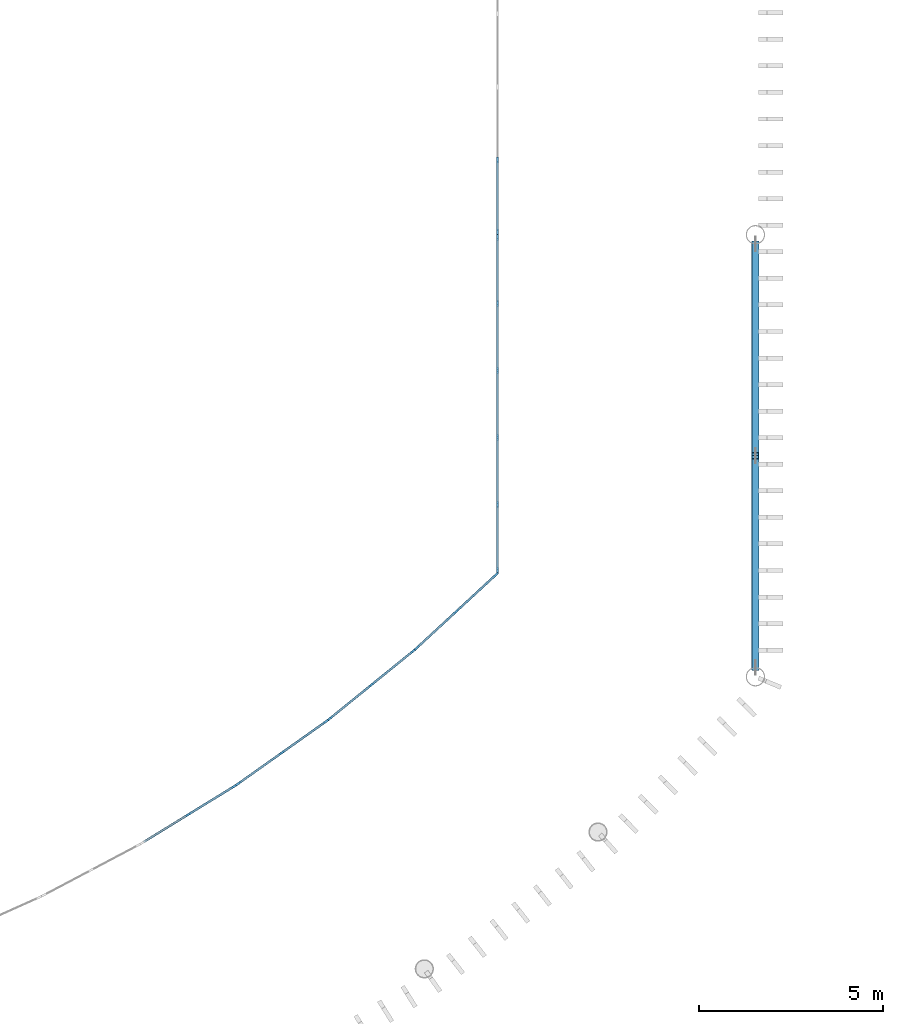
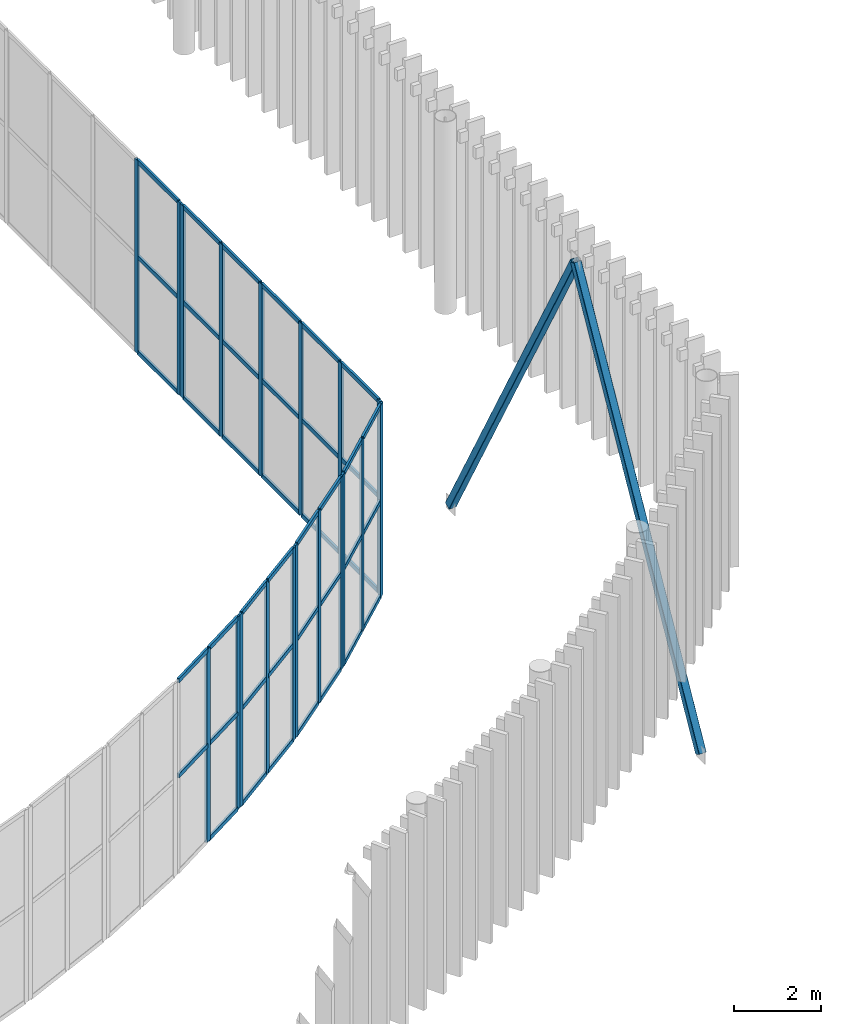
# One storey, part 40 of 170: 62 members, 6 elements without a shape of their own.
"""IFC4 building model written with IfcOpenShell, lengths in metres."""

from ifc_helpers import new_model, si_unit, direction, frame, origin, origin_2d, place, context, subcontext, project, spatial, rectangle, hollow_rectangle, extrude, material, layer, layer_set, material_profile, profile_set, type_object, element, aggregate, save


model = new_model("IFC4")

# Units and contexts
model_context = context("Model", 3, precision=1e-05, world=origin(), true_north=direction((0.0, 1.0)))
body_context = subcontext(model_context, "Body", "Model", "MODEL_VIEW")
ifc_project = project(units=[si_unit("LENGTHUNIT", "METRE"), si_unit("AREAUNIT", "SQUARE_METRE"), si_unit("VOLUMEUNIT", "CUBIC_METRE"), si_unit("PLANEANGLEUNIT", "RADIAN"), si_unit("MASSUNIT", "GRAM", prefix="KILO")], contexts=[model_context])

# Site, building, storey
site_placement = place(None, origin())
site = spatial("IfcSite", under=ifc_project, at=site_placement, CompositionType="ELEMENT")
building_placement = place(site_placement, origin())
building = spatial("IfcBuilding", under=site, at=building_placement, Name="Ravi Spectrum Wholesale Market", CompositionType="ELEMENT")
storey_placement = place(building_placement, frame((0.0, 0.0, 5.39990234375)))
storey = spatial("IfcBuildingStorey", under=building, at=storey_placement, Name="L01", CompositionType="ELEMENT", Elevation=5.39990234375)

# Curtain wall, members
ifc_material_1 = material(Name="Aluminium 6063-T6", Category="aluminium")
ifc_layer = layer(ifc_material_1, 0.14990234375)
ifc_layer_set = layer_set([ifc_layer], Name="Aluminium 6063-T6")
curtain_wall_type = type_object("IfcCurtainWallType", Name="Curtain wall 150", PredefinedType="NOTDEFINED", material=ifc_layer_set)
curtain_wall_1_placement = place(storey_placement, origin())
curtain_wall_1 = element("IfcCurtainWall", 1, at=curtain_wall_1_placement, inside=storey, type_object=curtain_wall_type, Name="H1-CW-L01-015", PredefinedType="NOTDEFINED")
ifc_material_2 = material(Name="Aluminium 6063-T6", Category="aluminium")
ifc_material_profile_1 = material_profile(ifc_material_2, rectangle(XDim=0.06005859375, YDim=0.159912109375, at=origin_2d()))
ifc_profile_set_1 = profile_set([ifc_material_profile_1], Name="Aluminium 6063-T6")
member_type_1 = type_object("IfcMemberType", Name="Mullion 60 x 160", PredefinedType="MULLION", material=ifc_profile_set_1)
member_1_placement = place(storey_placement, frame((103.0, 32.88037109375, 0.0), z_axis=(0.0, 0.0, 1.0), x_axis=(-1.0, 0.0, 0.0)))
member_1 = element("IfcMember", 2, at=member_1_placement, type_object=member_type_1, Name="H1-CW-L01-015 mullion 1", PredefinedType="MULLION", context=body_context, shape_type="SweptSolid", body=[
    extrude(rectangle(XDim=0.06005859375, YDim=0.159912109375, at=origin_2d()), origin(), (0.0, 0.0, 1.0), 5.400146484375),
])
member_2_placement = place(storey_placement, frame((103.0, 34.67236328125, 0.0), z_axis=(0.0, 0.0, 1.0), x_axis=(-1.0, 0.0, 0.0)))
member_2 = element("IfcMember", 3, at=member_2_placement, type_object=member_type_1, Name="H1-CW-L01-015 mullion 2", PredefinedType="MULLION", context=body_context, shape_type="SweptSolid", body=[
    extrude(rectangle(XDim=0.06005859375, YDim=0.159912109375, at=origin_2d()), origin(), (0.0, 0.0, 1.0), 5.400146484375),
])
member_3_placement = place(storey_placement, frame((103.0, 36.494140625, 0.0), z_axis=(0.0, 0.0, 1.0), x_axis=(-1.0, 0.0, 0.0)))
member_3 = element("IfcMember", 4, at=member_3_placement, type_object=member_type_1, Name="H1-CW-L01-015 mullion 3", PredefinedType="MULLION", context=body_context, shape_type="SweptSolid", body=[
    extrude(rectangle(XDim=0.06005859375, YDim=0.159912109375, at=origin_2d()), origin(), (0.0, 0.0, 1.0), 5.400146484375),
])
member_4_placement = place(storey_placement, frame((103.0, 38.316162109375, 0.0), z_axis=(0.0, 0.0, 1.0), x_axis=(-1.0, 0.0, 0.0)))
member_4 = element("IfcMember", 5, at=member_4_placement, type_object=member_type_1, Name="H1-CW-L01-015 mullion 4", PredefinedType="MULLION", context=body_context, shape_type="SweptSolid", body=[
    extrude(rectangle(XDim=0.06005859375, YDim=0.159912109375, at=origin_2d()), origin(), (0.0, 0.0, 1.0), 5.400146484375),
])
member_5_placement = place(storey_placement, frame((103.0, 40.13818359375, 0.0), z_axis=(0.0, 0.0, 1.0), x_axis=(-1.0, 0.0, 0.0)))
member_5 = element("IfcMember", 6, at=member_5_placement, type_object=member_type_1, Name="H1-CW-L01-015 mullion 5", PredefinedType="MULLION", context=body_context, shape_type="SweptSolid", body=[
    extrude(rectangle(XDim=0.06005859375, YDim=0.159912109375, at=origin_2d()), origin(), (0.0, 0.0, 1.0), 5.400146484375),
])
member_6_placement = place(storey_placement, frame((103.0, 41.929931640625, 0.0), z_axis=(0.0, 0.0, 1.0), x_axis=(-1.0, 0.0, 0.0)))
member_6 = element("IfcMember", 7, at=member_6_placement, type_object=member_type_1, Name="H1-CW-L01-015 mullion 6", PredefinedType="MULLION", context=body_context, shape_type="SweptSolid", body=[
    extrude(rectangle(XDim=0.06005859375, YDim=0.159912109375, at=origin_2d()), origin(), (0.0, 0.0, 1.0), 5.400146484375),
])

curtain_wall_2_placement = place(storey_placement, origin())
curtain_wall_2 = element("IfcCurtainWall", 8, at=curtain_wall_2_placement, inside=storey, type_object=curtain_wall_type, Name="H1-CW-L01-016", PredefinedType="NOTDEFINED")
member_7_placement = place(storey_placement, frame((103.0, 42.070068359375, 0.0), z_axis=(0.0, 0.0, 1.0), x_axis=(-1.0, 0.0, 0.0)))
member_7 = element("IfcMember", 9, at=member_7_placement, type_object=member_type_1, Name="H1-CW-L01-016 mullion 1", PredefinedType="MULLION", context=body_context, shape_type="SweptSolid", body=[
    extrude(rectangle(XDim=0.06005859375, YDim=0.159912109375, at=origin_2d()), origin(), (0.0, 0.0, 1.0), 5.400146484375),
])
member_8_placement = place(storey_placement, frame((103.0, 44.026611328125, 0.0), z_axis=(0.0, 0.0, 1.0), x_axis=(-1.0, 0.0, 0.0)))
member_8 = element("IfcMember", 10, at=member_8_placement, type_object=member_type_1, Name="H1-CW-L01-016 mullion 2", PredefinedType="MULLION", context=body_context, shape_type="SweptSolid", body=[
    extrude(rectangle(XDim=0.06005859375, YDim=0.159912109375, at=origin_2d()), origin(), (0.0, 0.0, 1.0), 5.400146484375),
])

curtain_wall_3_placement = place(storey_placement, origin())
curtain_wall_3 = element("IfcCurtainWall", 11, at=curtain_wall_3_placement, inside=storey, type_object=curtain_wall_type, Name="H1-CW-L01-049", PredefinedType="NOTDEFINED")
member_9_placement = place(storey_placement, frame((94.607666015625, 26.262451171875, 0.0), z_axis=(0.0, 0.0, 1.0), x_axis=(-0.523840503785, 0.851816369057, 0.0)))
member_9 = element("IfcMember", 12, at=member_9_placement, type_object=member_type_1, Name="H1-CW-L01-049 mullion 2", PredefinedType="MULLION", context=body_context, shape_type="SweptSolid", body=[
    extrude(rectangle(XDim=0.06005859375, YDim=0.159912109375, at=origin_2d()), origin(), (0.0, 0.0, 1.0), 5.400146484375),
])
member_10_placement = place(storey_placement, frame((95.84619140625, 27.024169921875, 0.0), z_axis=(0.0, 0.0, 1.0), x_axis=(-0.523840503785, 0.851816369057, 0.0)))
member_10 = element("IfcMember", 13, at=member_10_placement, type_object=member_type_1, Name="H1-CW-L01-049 mullion 3", PredefinedType="MULLION", context=body_context, shape_type="SweptSolid", body=[
    extrude(rectangle(XDim=0.06005859375, YDim=0.159912109375, at=origin_2d()), origin(), (0.0, 0.0, 1.0), 5.400146484375),
])

curtain_wall_4_placement = place(storey_placement, origin())
curtain_wall_4 = element("IfcCurtainWall", 14, at=curtain_wall_4_placement, inside=storey, type_object=curtain_wall_type, Name="H1-CW-L01-050", PredefinedType="NOTDEFINED")
member_11_placement = place(storey_placement, frame((95.962890625, 27.101318359375, 0.0), z_axis=(0.0, 0.0, 1.0), x_axis=(-0.57795328048, 0.816069853372, 0.0)))
member_11 = element("IfcMember", 15, at=member_11_placement, type_object=member_type_1, Name="H1-CW-L01-050 mullion 1", PredefinedType="MULLION", context=body_context, shape_type="SweptSolid", body=[
    extrude(rectangle(XDim=0.06005859375, YDim=0.159912109375, at=origin_2d()), origin(), (0.0, 0.0, 1.0), 5.400146484375),
])
member_12_placement = place(storey_placement, frame((97.1494140625, 27.941650390625, 0.0), z_axis=(0.0, 0.0, 1.0), x_axis=(-0.57795328048, 0.816069853372, 0.0)))
member_12 = element("IfcMember", 16, at=member_12_placement, type_object=member_type_1, Name="H1-CW-L01-050 mullion 2", PredefinedType="MULLION", context=body_context, shape_type="SweptSolid", body=[
    extrude(rectangle(XDim=0.06005859375, YDim=0.159912109375, at=origin_2d()), origin(), (0.0, 0.0, 1.0), 5.400146484375),
])
member_13_placement = place(storey_placement, frame((98.336181640625, 28.781982421875, 0.0), z_axis=(0.0, 0.0, 1.0), x_axis=(-0.57795328048, 0.816069853372, 0.0)))
member_13 = element("IfcMember", 17, at=member_13_placement, type_object=member_type_1, Name="H1-CW-L01-050 mullion 3", PredefinedType="MULLION", context=body_context, shape_type="SweptSolid", body=[
    extrude(rectangle(XDim=0.06005859375, YDim=0.159912109375, at=origin_2d()), origin(), (0.0, 0.0, 1.0), 5.400146484375),
])

curtain_wall_5_placement = place(storey_placement, origin())
curtain_wall_5 = element("IfcCurtainWall", 18, at=curtain_wall_5_placement, inside=storey, type_object=curtain_wall_type, Name="H1-CW-L01-051", PredefinedType="NOTDEFINED")
member_14_placement = place(storey_placement, frame((98.44775390625, 28.866455078125, 0.0), z_axis=(0.0, 0.0, 1.0), x_axis=(-0.629635182408, 0.776890942844, 0.0)))
member_14 = element("IfcMember", 19, at=member_14_placement, type_object=member_type_1, Name="H1-CW-L01-051 mullion 1", PredefinedType="MULLION", context=body_context, shape_type="SweptSolid", body=[
    extrude(rectangle(XDim=0.06005859375, YDim=0.159912109375, at=origin_2d()), origin(), (0.0, 0.0, 1.0), 5.400146484375),
])
member_15_placement = place(storey_placement, frame((99.577392578125, 29.781982421875, 0.0), z_axis=(0.0, 0.0, 1.0), x_axis=(-0.629635182408, 0.776890942844, 0.0)))
member_15 = element("IfcMember", 20, at=member_15_placement, type_object=member_type_1, Name="H1-CW-L01-051 mullion 2", PredefinedType="MULLION", context=body_context, shape_type="SweptSolid", body=[
    extrude(rectangle(XDim=0.06005859375, YDim=0.159912109375, at=origin_2d()), origin(), (0.0, 0.0, 1.0), 5.400146484375),
])
member_16_placement = place(storey_placement, frame((100.70703125, 30.697509765625, 0.0), z_axis=(0.0, 0.0, 1.0), x_axis=(-0.629635182408, 0.776890942844, 0.0)))
member_16 = element("IfcMember", 21, at=member_16_placement, type_object=member_type_1, Name="H1-CW-L01-051 mullion 3", PredefinedType="MULLION", context=body_context, shape_type="SweptSolid", body=[
    extrude(rectangle(XDim=0.06005859375, YDim=0.159912109375, at=origin_2d()), origin(), (0.0, 0.0, 1.0), 5.400146484375),
])

curtain_wall_6_placement = place(storey_placement, origin())
curtain_wall_6 = element("IfcCurtainWall", 22, at=curtain_wall_6_placement, inside=storey, type_object=curtain_wall_type, Name="H1-CW-L01-052", PredefinedType="NOTDEFINED")
member_17_placement = place(storey_placement, frame((100.812744140625, 30.7890625, 0.0), z_axis=(0.0, 0.0, 1.0), x_axis=(-0.678668834663, 0.734444424621, 0.0)))
member_17 = element("IfcMember", 23, at=member_17_placement, type_object=member_type_1, Name="H1-CW-L01-052 mullion 1", PredefinedType="MULLION", context=body_context, shape_type="SweptSolid", body=[
    extrude(rectangle(XDim=0.06005859375, YDim=0.159912109375, at=origin_2d()), origin(), (0.0, 0.0, 1.0), 5.400146484375),
])
member_18_placement = place(storey_placement, frame((101.880615234375, 31.77587890625, 0.0), z_axis=(0.0, 0.0, 1.0), x_axis=(-0.678668834663, 0.734444424621, 0.0)))
member_18 = element("IfcMember", 24, at=member_18_placement, type_object=member_type_1, Name="H1-CW-L01-052 mullion 2", PredefinedType="MULLION", context=body_context, shape_type="SweptSolid", body=[
    extrude(rectangle(XDim=0.06005859375, YDim=0.159912109375, at=origin_2d()), origin(), (0.0, 0.0, 1.0), 5.400146484375),
])
member_19_placement = place(storey_placement, frame((102.948486328125, 32.7626953125, 0.0), z_axis=(0.0, 0.0, 1.0), x_axis=(-0.678668834663, 0.734444424621, 0.0)))
member_19 = element("IfcMember", 25, at=member_19_placement, type_object=member_type_1, Name="H1-CW-L01-052 mullion 3", PredefinedType="MULLION", context=body_context, shape_type="SweptSolid", body=[
    extrude(rectangle(XDim=0.06005859375, YDim=0.159912109375, at=origin_2d()), origin(), (0.0, 0.0, 1.0), 5.400146484375),
])

# Members
ifc_material_3 = material(Name="Steel S355", Category="steel")
ifc_material_profile_2 = material_profile(ifc_material_3, hollow_rectangle(XDim=0.199951171875, YDim=0.199951171875, WallThickness=0.008056640625, InnerFilletRadius=0.008056640625, OuterFilletRadius=0.01611328125, at=origin_2d()))
ifc_profile_set_2 = profile_set([ifc_material_profile_2], Name="Steel S355")
member_type_2 = type_object("IfcMemberType", Name="SHS 200x200x8 brace", PredefinedType="BRACE", material=ifc_profile_set_2)
for number, where, z_axis, x_axis, name in (
    (26, (110.0, 30.25390625, -5.350830078125), (0.0, 0.487151805571, 0.873317306784), (-1.0, 0.0, 0.0), "H1-MB-L01-013"),
    (27, (110.0, 41.74609375, -5.350830078125), (0.0, -0.487151805571, 0.873317306784), (1.0, 0.0, 0.0), "H1-MB-L01-014"),
):
    element("IfcMember", number, at=place(storey_placement, frame(where, z_axis=z_axis, x_axis=x_axis)), inside=storey, type_object=member_type_2, Name=name, PredefinedType="BRACE", context=body_context, shape_type="SweptSolid", body=[
        extrude(hollow_rectangle(XDim=0.199951171875, YDim=0.199951171875, WallThickness=0.008056640625, InnerFilletRadius=0.008056640625, OuterFilletRadius=0.01611328125, at=origin_2d()), origin(), (0.0, 0.0, 1.0), 11.795166015625),
    ])

# Member
ifc_material_4 = material(Name="Aluminium 6063-T6", Category="aluminium")
ifc_material_profile_3 = material_profile(ifc_material_4, rectangle(XDim=0.06005859375, YDim=0.1201171875, at=origin_2d()))
ifc_profile_set_3 = profile_set([ifc_material_profile_3], Name="Aluminium 6063-T6")
member_type_3 = type_object("IfcMemberType", Name="Transom 60 x 120", PredefinedType="USERDEFINED", material=ifc_profile_set_3)
member_20_placement = place(storey_placement, frame((103.0, 32.910400390625, 0.030029296875), z_axis=(0.0, 1.0, 0.0), x_axis=(-1.0, 0.0, 0.0)))
member_20 = element("IfcMember", 28, at=member_20_placement, type_object=member_type_3, Name="H1-CW-L01-015 transom 1.1", ObjectType="TRANSOM", PredefinedType="USERDEFINED", context=body_context, shape_type="SweptSolid", body=[
    extrude(rectangle(XDim=0.06005859375, YDim=0.1201171875, at=origin_2d()), origin(), (0.0, 0.0, 1.0), 1.73193359375),
])

member_21_placement = place(storey_placement, frame((103.0, 32.910400390625, 2.7001953125), z_axis=(0.0, 1.0, 0.0), x_axis=(-1.0, 0.0, 0.0)))
member_21 = element("IfcMember", 29, at=member_21_placement, type_object=member_type_3, Name="H1-CW-L01-015 transom 1.2", ObjectType="TRANSOM", PredefinedType="USERDEFINED", context=body_context, shape_type="SweptSolid", body=[
    extrude(rectangle(XDim=0.06005859375, YDim=0.1201171875, at=origin_2d()), origin(), (0.0, 0.0, 1.0), 1.73193359375),
])

member_22_placement = place(storey_placement, frame((103.0, 32.910400390625, 5.3701171875), z_axis=(0.0, 1.0, 0.0), x_axis=(-1.0, 0.0, 0.0)))
member_22 = element("IfcMember", 30, at=member_22_placement, type_object=member_type_3, Name="H1-CW-L01-015 transom 1.3", ObjectType="TRANSOM", PredefinedType="USERDEFINED", context=body_context, shape_type="SweptSolid", body=[
    extrude(rectangle(XDim=0.06005859375, YDim=0.1201171875, at=origin_2d()), origin(), (0.0, 0.0, 1.0), 1.73193359375),
])

member_23_placement = place(storey_placement, frame((103.0, 34.7021484375, 0.030029296875), z_axis=(0.0, 1.0, 0.0), x_axis=(-1.0, 0.0, 0.0)))
member_23 = element("IfcMember", 31, at=member_23_placement, type_object=member_type_3, Name="H1-CW-L01-015 transom 2.1", ObjectType="TRANSOM", PredefinedType="USERDEFINED", context=body_context, shape_type="SweptSolid", body=[
    extrude(rectangle(XDim=0.06005859375, YDim=0.1201171875, at=origin_2d()), origin(), (0.0, 0.0, 1.0), 1.761962890625),
])

member_24_placement = place(storey_placement, frame((103.0, 34.7021484375, 2.7001953125), z_axis=(0.0, 1.0, 0.0), x_axis=(-1.0, 0.0, 0.0)))
member_24 = element("IfcMember", 32, at=member_24_placement, type_object=member_type_3, Name="H1-CW-L01-015 transom 2.2", ObjectType="TRANSOM", PredefinedType="USERDEFINED", context=body_context, shape_type="SweptSolid", body=[
    extrude(rectangle(XDim=0.06005859375, YDim=0.1201171875, at=origin_2d()), origin(), (0.0, 0.0, 1.0), 1.761962890625),
])

member_25_placement = place(storey_placement, frame((103.0, 34.7021484375, 5.3701171875), z_axis=(0.0, 1.0, 0.0), x_axis=(-1.0, 0.0, 0.0)))
member_25 = element("IfcMember", 33, at=member_25_placement, type_object=member_type_3, Name="H1-CW-L01-015 transom 2.3", ObjectType="TRANSOM", PredefinedType="USERDEFINED", context=body_context, shape_type="SweptSolid", body=[
    extrude(rectangle(XDim=0.06005859375, YDim=0.1201171875, at=origin_2d()), origin(), (0.0, 0.0, 1.0), 1.761962890625),
])

member_26_placement = place(storey_placement, frame((103.0, 36.524169921875, 0.030029296875), z_axis=(0.0, 1.0, 0.0), x_axis=(-1.0, 0.0, 0.0)))
member_26 = element("IfcMember", 34, at=member_26_placement, type_object=member_type_3, Name="H1-CW-L01-015 transom 3.1", ObjectType="TRANSOM", PredefinedType="USERDEFINED", context=body_context, shape_type="SweptSolid", body=[
    extrude(rectangle(XDim=0.06005859375, YDim=0.1201171875, at=origin_2d()), origin(), (0.0, 0.0, 1.0), 1.761962890625),
])

member_27_placement = place(storey_placement, frame((103.0, 36.524169921875, 2.7001953125), z_axis=(0.0, 1.0, 0.0), x_axis=(-1.0, 0.0, 0.0)))
member_27 = element("IfcMember", 35, at=member_27_placement, type_object=member_type_3, Name="H1-CW-L01-015 transom 3.2", ObjectType="TRANSOM", PredefinedType="USERDEFINED", context=body_context, shape_type="SweptSolid", body=[
    extrude(rectangle(XDim=0.06005859375, YDim=0.1201171875, at=origin_2d()), origin(), (0.0, 0.0, 1.0), 1.761962890625),
])

member_28_placement = place(storey_placement, frame((103.0, 36.524169921875, 5.3701171875), z_axis=(0.0, 1.0, 0.0), x_axis=(-1.0, 0.0, 0.0)))
member_28 = element("IfcMember", 36, at=member_28_placement, type_object=member_type_3, Name="H1-CW-L01-015 transom 3.3", ObjectType="TRANSOM", PredefinedType="USERDEFINED", context=body_context, shape_type="SweptSolid", body=[
    extrude(rectangle(XDim=0.06005859375, YDim=0.1201171875, at=origin_2d()), origin(), (0.0, 0.0, 1.0), 1.761962890625),
])

member_29_placement = place(storey_placement, frame((103.0, 38.34619140625, 0.030029296875), z_axis=(0.0, 1.0, 0.0), x_axis=(-1.0, 0.0, 0.0)))
member_29 = element("IfcMember", 37, at=member_29_placement, type_object=member_type_3, Name="H1-CW-L01-015 transom 4.1", ObjectType="TRANSOM", PredefinedType="USERDEFINED", context=body_context, shape_type="SweptSolid", body=[
    extrude(rectangle(XDim=0.06005859375, YDim=0.1201171875, at=origin_2d()), origin(), (0.0, 0.0, 1.0), 1.761962890625),
])

member_30_placement = place(storey_placement, frame((103.0, 38.34619140625, 2.7001953125), z_axis=(0.0, 1.0, 0.0), x_axis=(-1.0, 0.0, 0.0)))
member_30 = element("IfcMember", 38, at=member_30_placement, type_object=member_type_3, Name="H1-CW-L01-015 transom 4.2", ObjectType="TRANSOM", PredefinedType="USERDEFINED", context=body_context, shape_type="SweptSolid", body=[
    extrude(rectangle(XDim=0.06005859375, YDim=0.1201171875, at=origin_2d()), origin(), (0.0, 0.0, 1.0), 1.761962890625),
])

member_31_placement = place(storey_placement, frame((103.0, 38.34619140625, 5.3701171875), z_axis=(0.0, 1.0, 0.0), x_axis=(-1.0, 0.0, 0.0)))
member_31 = element("IfcMember", 39, at=member_31_placement, type_object=member_type_3, Name="H1-CW-L01-015 transom 4.3", ObjectType="TRANSOM", PredefinedType="USERDEFINED", context=body_context, shape_type="SweptSolid", body=[
    extrude(rectangle(XDim=0.06005859375, YDim=0.1201171875, at=origin_2d()), origin(), (0.0, 0.0, 1.0), 1.761962890625),
])

member_32_placement = place(storey_placement, frame((103.0, 40.16796875, 0.030029296875), z_axis=(0.0, 1.0, 0.0), x_axis=(-1.0, 0.0, 0.0)))
member_32 = element("IfcMember", 40, at=member_32_placement, type_object=member_type_3, Name="H1-CW-L01-015 transom 5.1", ObjectType="TRANSOM", PredefinedType="USERDEFINED", context=body_context, shape_type="SweptSolid", body=[
    extrude(rectangle(XDim=0.06005859375, YDim=0.1201171875, at=origin_2d()), origin(), (0.0, 0.0, 1.0), 1.73193359375),
])

member_33_placement = place(storey_placement, frame((103.0, 40.16796875, 2.7001953125), z_axis=(0.0, 1.0, 0.0), x_axis=(-1.0, 0.0, 0.0)))
member_33 = element("IfcMember", 41, at=member_33_placement, type_object=member_type_3, Name="H1-CW-L01-015 transom 5.2", ObjectType="TRANSOM", PredefinedType="USERDEFINED", context=body_context, shape_type="SweptSolid", body=[
    extrude(rectangle(XDim=0.06005859375, YDim=0.1201171875, at=origin_2d()), origin(), (0.0, 0.0, 1.0), 1.73193359375),
])

member_34_placement = place(storey_placement, frame((103.0, 40.16796875, 5.3701171875), z_axis=(0.0, 1.0, 0.0), x_axis=(-1.0, 0.0, 0.0)))
member_34 = element("IfcMember", 42, at=member_34_placement, type_object=member_type_3, Name="H1-CW-L01-015 transom 5.3", ObjectType="TRANSOM", PredefinedType="USERDEFINED", context=body_context, shape_type="SweptSolid", body=[
    extrude(rectangle(XDim=0.06005859375, YDim=0.1201171875, at=origin_2d()), origin(), (0.0, 0.0, 1.0), 1.73193359375),
])

aggregate(curtain_wall_1, [member_1, member_2, member_3, member_4, member_5, member_6, member_20, member_21, member_22, member_23, member_24, member_25, member_26, member_27, member_28, member_29, member_30, member_31, member_32, member_33, member_34])

member_35_placement = place(storey_placement, frame((103.0, 42.10009765625, 0.030029296875), z_axis=(0.0, 1.0, 0.0), x_axis=(-1.0, 0.0, 0.0)))
member_35 = element("IfcMember", 43, at=member_35_placement, type_object=member_type_3, Name="H1-CW-L01-016 transom 1.1", ObjectType="TRANSOM", PredefinedType="USERDEFINED", context=body_context, shape_type="SweptSolid", body=[
    extrude(rectangle(XDim=0.06005859375, YDim=0.1201171875, at=origin_2d()), origin(), (0.0, 0.0, 1.0), 1.896484375),
])

member_36_placement = place(storey_placement, frame((103.0, 42.10009765625, 2.7001953125), z_axis=(0.0, 1.0, 0.0), x_axis=(-1.0, 0.0, 0.0)))
member_36 = element("IfcMember", 44, at=member_36_placement, type_object=member_type_3, Name="H1-CW-L01-016 transom 1.2", ObjectType="TRANSOM", PredefinedType="USERDEFINED", context=body_context, shape_type="SweptSolid", body=[
    extrude(rectangle(XDim=0.06005859375, YDim=0.1201171875, at=origin_2d()), origin(), (0.0, 0.0, 1.0), 1.896484375),
])

member_37_placement = place(storey_placement, frame((103.0, 42.10009765625, 5.3701171875), z_axis=(0.0, 1.0, 0.0), x_axis=(-1.0, 0.0, 0.0)))
member_37 = element("IfcMember", 45, at=member_37_placement, type_object=member_type_3, Name="H1-CW-L01-016 transom 1.3", ObjectType="TRANSOM", PredefinedType="USERDEFINED", context=body_context, shape_type="SweptSolid", body=[
    extrude(rectangle(XDim=0.06005859375, YDim=0.1201171875, at=origin_2d()), origin(), (0.0, 0.0, 1.0), 1.896484375),
])

aggregate(curtain_wall_2, [member_7, member_8, member_35, member_36, member_37])

member_38_placement = place(storey_placement, frame((93.39453125, 25.516357421875, 2.7001953125), z_axis=(0.851832648, 0.523814031696, 0.0), x_axis=(-0.523814031696, 0.851832648, 0.0)))
member_38 = element("IfcMember", 46, at=member_38_placement, type_object=member_type_3, Name="H1-CW-L01-049 transom 1.2", ObjectType="TRANSOM", PredefinedType="USERDEFINED", context=body_context, shape_type="SweptSolid", body=[
    extrude(rectangle(XDim=0.06005859375, YDim=0.1201171875, at=origin_2d()), origin(), (0.0, 0.0, 1.0), 1.39404296875),
])

member_39_placement = place(storey_placement, frame((93.39453125, 25.516357421875, 5.3701171875), z_axis=(0.851832648, 0.523814031696, 0.0), x_axis=(-0.523814031696, 0.851832648, 0.0)))
member_39 = element("IfcMember", 47, at=member_39_placement, type_object=member_type_3, Name="H1-CW-L01-049 transom 1.3", ObjectType="TRANSOM", PredefinedType="USERDEFINED", context=body_context, shape_type="SweptSolid", body=[
    extrude(rectangle(XDim=0.06005859375, YDim=0.1201171875, at=origin_2d()), origin(), (0.0, 0.0, 1.0), 1.39404296875),
])

member_40_placement = place(storey_placement, frame((94.633056640625, 26.278076171875, 0.030029296875), z_axis=(0.851832648, 0.523814031696, 0.0), x_axis=(-0.523814031696, 0.851832648, 0.0)))
member_40 = element("IfcMember", 48, at=member_40_placement, type_object=member_type_3, Name="H1-CW-L01-049 transom 2.1", ObjectType="TRANSOM", PredefinedType="USERDEFINED", context=body_context, shape_type="SweptSolid", body=[
    extrude(rectangle(XDim=0.06005859375, YDim=0.1201171875, at=origin_2d()), origin(), (0.0, 0.0, 1.0), 1.39404296875),
])

member_41_placement = place(storey_placement, frame((94.633056640625, 26.278076171875, 2.7001953125), z_axis=(0.851832648, 0.523814031696, 0.0), x_axis=(-0.523814031696, 0.851832648, 0.0)))
member_41 = element("IfcMember", 49, at=member_41_placement, type_object=member_type_3, Name="H1-CW-L01-049 transom 2.2", ObjectType="TRANSOM", PredefinedType="USERDEFINED", context=body_context, shape_type="SweptSolid", body=[
    extrude(rectangle(XDim=0.06005859375, YDim=0.1201171875, at=origin_2d()), origin(), (0.0, 0.0, 1.0), 1.39404296875),
])

member_42_placement = place(storey_placement, frame((94.633056640625, 26.278076171875, 5.3701171875), z_axis=(0.851832648, 0.523814031696, 0.0), x_axis=(-0.523814031696, 0.851832648, 0.0)))
member_42 = element("IfcMember", 50, at=member_42_placement, type_object=member_type_3, Name="H1-CW-L01-049 transom 2.3", ObjectType="TRANSOM", PredefinedType="USERDEFINED", context=body_context, shape_type="SweptSolid", body=[
    extrude(rectangle(XDim=0.06005859375, YDim=0.1201171875, at=origin_2d()), origin(), (0.0, 0.0, 1.0), 1.39404296875),
])

aggregate(curtain_wall_3, [member_9, member_10, member_38, member_39, member_40, member_41, member_42])

member_43_placement = place(storey_placement, frame((95.9873046875, 27.11865234375, 0.030029296875), z_axis=(0.816093311487, 0.577920156203, 0.0), x_axis=(-0.577920156203, 0.816093311487, 0.0)))
member_43 = element("IfcMember", 51, at=member_43_placement, type_object=member_type_3, Name="H1-CW-L01-050 transom 1.1", ObjectType="TRANSOM", PredefinedType="USERDEFINED", context=body_context, shape_type="SweptSolid", body=[
    extrude(rectangle(XDim=0.06005859375, YDim=0.1201171875, at=origin_2d()), origin(), (0.0, 0.0, 1.0), 1.39404296875),
])

member_44_placement = place(storey_placement, frame((95.9873046875, 27.11865234375, 2.7001953125), z_axis=(0.816093311487, 0.577920156203, 0.0), x_axis=(-0.577920156203, 0.816093311487, 0.0)))
member_44 = element("IfcMember", 52, at=member_44_placement, type_object=member_type_3, Name="H1-CW-L01-050 transom 1.2", ObjectType="TRANSOM", PredefinedType="USERDEFINED", context=body_context, shape_type="SweptSolid", body=[
    extrude(rectangle(XDim=0.06005859375, YDim=0.1201171875, at=origin_2d()), origin(), (0.0, 0.0, 1.0), 1.39404296875),
])

member_45_placement = place(storey_placement, frame((95.9873046875, 27.11865234375, 5.3701171875), z_axis=(0.816093311487, 0.577920156203, 0.0), x_axis=(-0.577920156203, 0.816093311487, 0.0)))
member_45 = element("IfcMember", 53, at=member_45_placement, type_object=member_type_3, Name="H1-CW-L01-050 transom 1.3", ObjectType="TRANSOM", PredefinedType="USERDEFINED", context=body_context, shape_type="SweptSolid", body=[
    extrude(rectangle(XDim=0.06005859375, YDim=0.1201171875, at=origin_2d()), origin(), (0.0, 0.0, 1.0), 1.39404296875),
])

member_46_placement = place(storey_placement, frame((97.174072265625, 27.958984375, 0.030029296875), z_axis=(0.816093311487, 0.577920156203, 0.0), x_axis=(-0.577920156203, 0.816093311487, 0.0)))
member_46 = element("IfcMember", 54, at=member_46_placement, type_object=member_type_3, Name="H1-CW-L01-050 transom 2.1", ObjectType="TRANSOM", PredefinedType="USERDEFINED", context=body_context, shape_type="SweptSolid", body=[
    extrude(rectangle(XDim=0.06005859375, YDim=0.1201171875, at=origin_2d()), origin(), (0.0, 0.0, 1.0), 1.39404296875),
])

member_47_placement = place(storey_placement, frame((97.174072265625, 27.958984375, 2.7001953125), z_axis=(0.816093311487, 0.577920156203, 0.0), x_axis=(-0.577920156203, 0.816093311487, 0.0)))
member_47 = element("IfcMember", 55, at=member_47_placement, type_object=member_type_3, Name="H1-CW-L01-050 transom 2.2", ObjectType="TRANSOM", PredefinedType="USERDEFINED", context=body_context, shape_type="SweptSolid", body=[
    extrude(rectangle(XDim=0.06005859375, YDim=0.1201171875, at=origin_2d()), origin(), (0.0, 0.0, 1.0), 1.39404296875),
])

member_48_placement = place(storey_placement, frame((97.174072265625, 27.958984375, 5.3701171875), z_axis=(0.816093311487, 0.577920156203, 0.0), x_axis=(-0.577920156203, 0.816093311487, 0.0)))
member_48 = element("IfcMember", 56, at=member_48_placement, type_object=member_type_3, Name="H1-CW-L01-050 transom 2.3", ObjectType="TRANSOM", PredefinedType="USERDEFINED", context=body_context, shape_type="SweptSolid", body=[
    extrude(rectangle(XDim=0.06005859375, YDim=0.1201171875, at=origin_2d()), origin(), (0.0, 0.0, 1.0), 1.39404296875),
])

aggregate(curtain_wall_4, [member_11, member_12, member_13, member_43, member_44, member_45, member_46, member_47, member_48])

member_49_placement = place(storey_placement, frame((98.470947265625, 28.885498046875, 0.030029296875), z_axis=(0.776906240638, 0.629616306378, 0.0), x_axis=(-0.629616306378, 0.776906240638, 0.0)))
member_49 = element("IfcMember", 57, at=member_49_placement, type_object=member_type_3, Name="H1-CW-L01-051 transom 1.1", ObjectType="TRANSOM", PredefinedType="USERDEFINED", context=body_context, shape_type="SweptSolid", body=[
    extrude(rectangle(XDim=0.06005859375, YDim=0.1201171875, at=origin_2d()), origin(), (0.0, 0.0, 1.0), 1.39404296875),
])

member_50_placement = place(storey_placement, frame((98.470947265625, 28.885498046875, 2.7001953125), z_axis=(0.776906240638, 0.629616306378, 0.0), x_axis=(-0.629616306378, 0.776906240638, 0.0)))
member_50 = element("IfcMember", 58, at=member_50_placement, type_object=member_type_3, Name="H1-CW-L01-051 transom 1.2", ObjectType="TRANSOM", PredefinedType="USERDEFINED", context=body_context, shape_type="SweptSolid", body=[
    extrude(rectangle(XDim=0.06005859375, YDim=0.1201171875, at=origin_2d()), origin(), (0.0, 0.0, 1.0), 1.39404296875),
])

member_51_placement = place(storey_placement, frame((98.470947265625, 28.885498046875, 5.3701171875), z_axis=(0.776906240638, 0.629616306378, 0.0), x_axis=(-0.629616306378, 0.776906240638, 0.0)))
member_51 = element("IfcMember", 59, at=member_51_placement, type_object=member_type_3, Name="H1-CW-L01-051 transom 1.3", ObjectType="TRANSOM", PredefinedType="USERDEFINED", context=body_context, shape_type="SweptSolid", body=[
    extrude(rectangle(XDim=0.06005859375, YDim=0.1201171875, at=origin_2d()), origin(), (0.0, 0.0, 1.0), 1.39404296875),
])

member_52_placement = place(storey_placement, frame((99.6005859375, 29.801025390625, 0.030029296875), z_axis=(0.776906240638, 0.629616306378, 0.0), x_axis=(-0.629616306378, 0.776906240638, 0.0)))
member_52 = element("IfcMember", 60, at=member_52_placement, type_object=member_type_3, Name="H1-CW-L01-051 transom 2.1", ObjectType="TRANSOM", PredefinedType="USERDEFINED", context=body_context, shape_type="SweptSolid", body=[
    extrude(rectangle(XDim=0.06005859375, YDim=0.1201171875, at=origin_2d()), origin(), (0.0, 0.0, 1.0), 1.39404296875),
])

member_53_placement = place(storey_placement, frame((99.6005859375, 29.801025390625, 2.7001953125), z_axis=(0.776906240638, 0.629616306378, 0.0), x_axis=(-0.629616306378, 0.776906240638, 0.0)))
member_53 = element("IfcMember", 61, at=member_53_placement, type_object=member_type_3, Name="H1-CW-L01-051 transom 2.2", ObjectType="TRANSOM", PredefinedType="USERDEFINED", context=body_context, shape_type="SweptSolid", body=[
    extrude(rectangle(XDim=0.06005859375, YDim=0.1201171875, at=origin_2d()), origin(), (0.0, 0.0, 1.0), 1.39404296875),
])

member_54_placement = place(storey_placement, frame((99.6005859375, 29.801025390625, 5.3701171875), z_axis=(0.776906240638, 0.629616306378, 0.0), x_axis=(-0.629616306378, 0.776906240638, 0.0)))
member_54 = element("IfcMember", 62, at=member_54_placement, type_object=member_type_3, Name="H1-CW-L01-051 transom 2.3", ObjectType="TRANSOM", PredefinedType="USERDEFINED", context=body_context, shape_type="SweptSolid", body=[
    extrude(rectangle(XDim=0.06005859375, YDim=0.1201171875, at=origin_2d()), origin(), (0.0, 0.0, 1.0), 1.39404296875),
])

aggregate(curtain_wall_5, [member_14, member_15, member_16, member_49, member_50, member_51, member_52, member_53, member_54])

member_55_placement = place(storey_placement, frame((100.834716796875, 30.8095703125, 0.030029296875), z_axis=(0.734487798578, 0.678621893059, 0.0), x_axis=(-0.678621893059, 0.734487798578, 0.0)))
member_55 = element("IfcMember", 63, at=member_55_placement, type_object=member_type_3, Name="H1-CW-L01-052 transom 1.1", ObjectType="TRANSOM", PredefinedType="USERDEFINED", context=body_context, shape_type="SweptSolid", body=[
    extrude(rectangle(XDim=0.06005859375, YDim=0.1201171875, at=origin_2d()), origin(), (0.0, 0.0, 1.0), 1.39404296875),
])

member_56_placement = place(storey_placement, frame((100.834716796875, 30.8095703125, 2.7001953125), z_axis=(0.734487798578, 0.678621893059, 0.0), x_axis=(-0.678621893059, 0.734487798578, 0.0)))
member_56 = element("IfcMember", 64, at=member_56_placement, type_object=member_type_3, Name="H1-CW-L01-052 transom 1.2", ObjectType="TRANSOM", PredefinedType="USERDEFINED", context=body_context, shape_type="SweptSolid", body=[
    extrude(rectangle(XDim=0.06005859375, YDim=0.1201171875, at=origin_2d()), origin(), (0.0, 0.0, 1.0), 1.39404296875),
])

member_57_placement = place(storey_placement, frame((100.834716796875, 30.8095703125, 5.3701171875), z_axis=(0.734487798578, 0.678621893059, 0.0), x_axis=(-0.678621893059, 0.734487798578, 0.0)))
member_57 = element("IfcMember", 65, at=member_57_placement, type_object=member_type_3, Name="H1-CW-L01-052 transom 1.3", ObjectType="TRANSOM", PredefinedType="USERDEFINED", context=body_context, shape_type="SweptSolid", body=[
    extrude(rectangle(XDim=0.06005859375, YDim=0.1201171875, at=origin_2d()), origin(), (0.0, 0.0, 1.0), 1.39404296875),
])

member_58_placement = place(storey_placement, frame((101.902587890625, 31.79638671875, 0.030029296875), z_axis=(0.734487798578, 0.678621893059, 0.0), x_axis=(-0.678621893059, 0.734487798578, 0.0)))
member_58 = element("IfcMember", 66, at=member_58_placement, type_object=member_type_3, Name="H1-CW-L01-052 transom 2.1", ObjectType="TRANSOM", PredefinedType="USERDEFINED", context=body_context, shape_type="SweptSolid", body=[
    extrude(rectangle(XDim=0.06005859375, YDim=0.1201171875, at=origin_2d()), origin(), (0.0, 0.0, 1.0), 1.39404296875),
])

member_59_placement = place(storey_placement, frame((101.902587890625, 31.79638671875, 2.7001953125), z_axis=(0.734487798578, 0.678621893059, 0.0), x_axis=(-0.678621893059, 0.734487798578, 0.0)))
member_59 = element("IfcMember", 67, at=member_59_placement, type_object=member_type_3, Name="H1-CW-L01-052 transom 2.2", ObjectType="TRANSOM", PredefinedType="USERDEFINED", context=body_context, shape_type="SweptSolid", body=[
    extrude(rectangle(XDim=0.06005859375, YDim=0.1201171875, at=origin_2d()), origin(), (0.0, 0.0, 1.0), 1.39404296875),
])

member_60_placement = place(storey_placement, frame((101.902587890625, 31.79638671875, 5.3701171875), z_axis=(0.734487798578, 0.678621893059, 0.0), x_axis=(-0.678621893059, 0.734487798578, 0.0)))
member_60 = element("IfcMember", 68, at=member_60_placement, type_object=member_type_3, Name="H1-CW-L01-052 transom 2.3", ObjectType="TRANSOM", PredefinedType="USERDEFINED", context=body_context, shape_type="SweptSolid", body=[
    extrude(rectangle(XDim=0.06005859375, YDim=0.1201171875, at=origin_2d()), origin(), (0.0, 0.0, 1.0), 1.39404296875),
])

aggregate(curtain_wall_6, [member_17, member_18, member_19, member_55, member_56, member_57, member_58, member_59, member_60])

save(model, "model.ifc")
